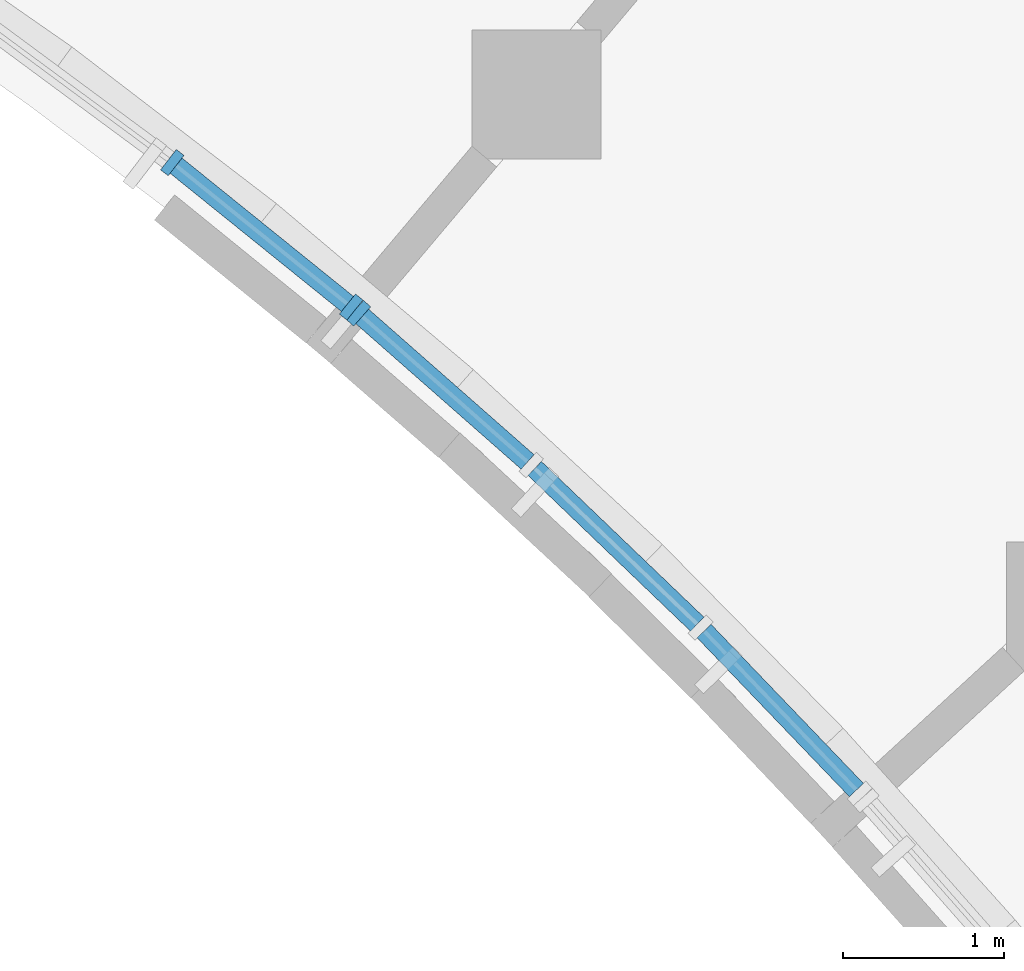
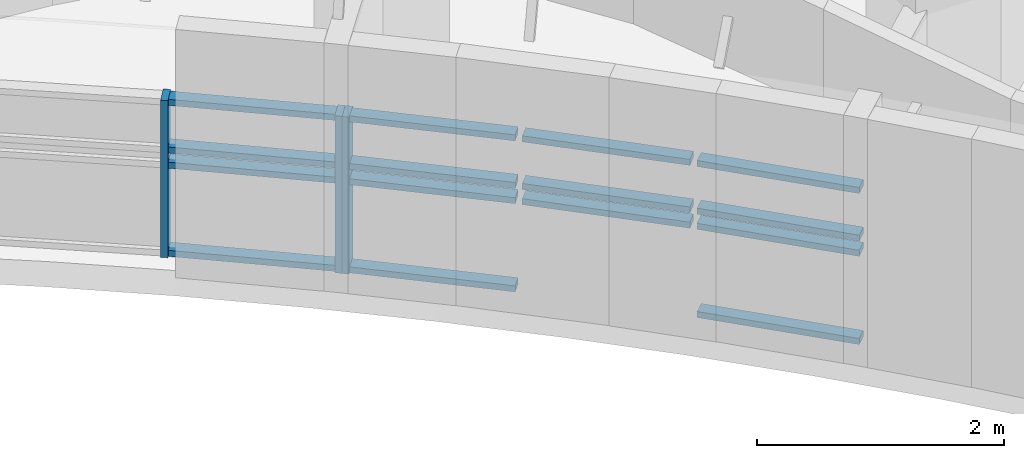
# One storey, part 8 of 89: 18 members, 2 elements without a shape of their own.
"""IFC4 building model written with IfcOpenShell, lengths in metres."""

import ifcopenshell
import ifcopenshell.guid

model = None  # the IFC model being written
_history = None  # IfcOwnerHistory: only IFC2X3 demands one
_inside = {}  # id of a spatial element -> (the spatial element, [elements in it])
_under = {}  # id of a project, library or spatial element -> (it, [spatial elements below it])
_declared = {}  # id of a project -> (the project, [libraries it declares])
_typed = {}  # id of a type object -> (the type object, [elements of that type])
_made_of = {}  # id of a material, layer set ... -> (it, [elements and type objects made of it])


def new_model(schema):
    """Start an empty IFC model of exactly this schema.

    Asked for "IFC4X3", IfcOpenShell would pick the latest addendum, in which some entities
    have other attributes; the version numbers below select the first issue.
    IFC2X3 requires an IfcOwnerHistory on every rooted entity: one is made here for all.
    """
    global model, _history
    if schema == "IFC4X3":
        model = ifcopenshell.file(schema_version=(4, 3, 0, 0))
    else:
        model = ifcopenshell.file(schema=schema)
    _inside.clear()
    _under.clear()
    _declared.clear()
    _typed.clear()
    _made_of.clear()
    _history = None
    if model.schema == "IFC2X3":
        org = make("IfcOrganization", Name="unknown")
        user = make(
            "IfcPersonAndOrganization",
            ThePerson=make("IfcPerson", FamilyName="unknown"),
            TheOrganization=org,
        )
        app = make(
            "IfcApplication",
            ApplicationDeveloper=org,
            Version="unknown",
            ApplicationFullName="unknown",
            ApplicationIdentifier="unknown",
        )
        _history = make(
            "IfcOwnerHistory",
            OwningUser=user,
            OwningApplication=app,
            ChangeAction="ADDED",
            CreationDate=0,
        )
    return model


def make(cls, **values):
    """One entity of the class cls with the attributes given. An attribute that is None is left unset."""
    return model.create_entity(
        cls, **{name: value for name, value in values.items() if value is not None}
    )


def rooted(cls, **values):
    """An entity with a GlobalId (a new one), such as an element, a storey or a relation."""
    return make(cls, GlobalId=ifcopenshell.guid.new(), OwnerHistory=_history, **values)


def si_unit(unit_type, name, prefix=None):
    """IfcSIUnit, for example si_unit("LENGTHUNIT", "METRE", prefix="MILLI")."""
    return make("IfcSIUnit", UnitType=unit_type, Prefix=prefix, Name=name)


def assignment(units):
    """IfcUnitAssignment: the units of a project."""
    return None if units is None else make("IfcUnitAssignment", Units=units)


def point(xyz):
    """IfcCartesianPoint."""
    return None if xyz is None else make("IfcCartesianPoint", Coordinates=xyz)


def direction(xyz):
    """IfcDirection."""
    return None if xyz is None else make("IfcDirection", DirectionRatios=xyz)


def frame(location, z_axis=None, x_axis=None):
    """IfcAxis2Placement3D, a coordinate frame: its origin and axes. An axis left out is left unset."""
    return make(
        "IfcAxis2Placement3D",
        Location=point(location),
        Axis=direction(z_axis),
        RefDirection=direction(x_axis),
    )


def frame_2d(location, x_axis=None):
    """IfcAxis2Placement2D, a coordinate frame in the plane: its origin and x axis."""
    return make(
        "IfcAxis2Placement2D", Location=point(location), RefDirection=direction(x_axis)
    )


def origin():
    """The frame at (0, 0, 0) with its axes left unset."""
    return frame((0.0, 0.0, 0.0))


def origin_2d():
    """The frame at (0, 0) in the plane with its x axis left unset."""
    return frame_2d((0.0, 0.0))


def place(relative_to, where):
    """IfcLocalPlacement: puts the frame where relative to a parent placement (None: the world)."""
    return make(
        "IfcLocalPlacement", PlacementRelTo=relative_to, RelativePlacement=where
    )


def context(
    kind, dimensions, precision=None, world=None, true_north=None, identifier=None
):
    """IfcGeometricRepresentationContext, for example the 3D "Model" context."""
    return make(
        "IfcGeometricRepresentationContext",
        ContextIdentifier=identifier,
        ContextType=kind,
        CoordinateSpaceDimension=dimensions,
        Precision=precision,
        WorldCoordinateSystem=world,
        TrueNorth=true_north,
    )


def subcontext(parent, identifier, kind, view, scale=None):
    """IfcGeometricRepresentationSubContext, for example "Body" below "Model"."""
    return make(
        "IfcGeometricRepresentationSubContext",
        ContextIdentifier=identifier,
        ContextType=kind,
        ParentContext=parent,
        TargetScale=scale,
        TargetView=view,
    )


def project(units=None, contexts=None):
    """IfcProject with its units and contexts."""
    return rooted(
        "IfcProject",
        Name="project",
        RepresentationContexts=contexts,
        UnitsInContext=assignment(units),
    )


def spatial(cls, under=None, at=None, **own):
    """A site, building, storey or space (cls), placed at a placement, below another one or the project."""
    s = rooted(cls, ObjectPlacement=at, **own)
    if under is not None:
        _under.setdefault(under.id(), (under, []))[1].append(s)
    return s


def profile(cls, at=None, kind="AREA", **sizes):
    """A parametric profile (cls). Its sizes go by their IFC names, for example OverallWidth=200.0."""
    return make(cls, ProfileType=kind, Position=at, **sizes)


def rectangle(**sizes):
    """IfcRectangleProfileDef."""
    return profile("IfcRectangleProfileDef", **sizes)


def extrude(swept, where, along, depth):
    """IfcExtrudedAreaSolid: the profile swept, set in the frame where, extruded along a direction by depth."""
    return make(
        "IfcExtrudedAreaSolid",
        SweptArea=swept,
        Position=where,
        ExtrudedDirection=direction(along),
        Depth=depth,
    )


def shape(context_of_items, identifier, shape_type, items):
    """IfcShapeRepresentation: the items that make up one representation, for example the "Body"."""
    return make(
        "IfcShapeRepresentation",
        ContextOfItems=context_of_items,
        RepresentationIdentifier=identifier,
        RepresentationType=shape_type,
        Items=items,
    )


def material(Name=None, Category=None):
    """IfcMaterial."""
    return make("IfcMaterial", Name=Name, Category=Category)


def material_profile(
    of_material, cross_section, Name=None, Category=None, Priority=None
):
    """IfcMaterialProfile: a cross section and its material."""
    return make(
        "IfcMaterialProfile",
        Name=Name,
        Material=of_material,
        Profile=cross_section,
        Priority=Priority,
        Category=Category,
    )


def profile_set(profiles, Name=None, composite=None):
    """IfcMaterialProfileSet."""
    return make(
        "IfcMaterialProfileSet",
        Name=Name,
        MaterialProfiles=profiles,
        CompositeProfile=composite,
    )


def made_of(thing, what):
    """Note that an element or type object is made of a material, layer set ...; save() writes the relation."""
    if what is not None:
        _made_of.setdefault(what.id(), (what, []))[1].append(thing)
    return thing


def type_object(cls, material=None, **own):
    """A type object (cls), such as IfcWallType, which elements share."""
    return made_of(rooted(cls, **own), material)


def element(
    cls,
    number,
    at=None,
    inside=None,
    cuts=None,
    type_object=None,
    material=None,
    context=None,
    identifier="Body",
    shape_type=None,
    held_by="IfcProductDefinitionShape",
    body=None,
    shapes=None,
    **own,
):
    """One element of the class cls, such as IfcWall. Its Tag is "e" and its number.

    at: its placement. inside: the storey or other place that contains it. cuts: it is an
    opening in that element (IfcRelVoidsElement). A single representation is given by context,
    identifier, shape_type and body (its items); several are given by shapes. held_by: the class
    of the entity that holds the representations. save() writes the other relations.
    """
    e = rooted(cls, Tag="e%d" % number, ObjectPlacement=at, **own)
    if body is not None:
        shapes = [shape(context, identifier, shape_type, body)]
    if shapes is not None:
        e.Representation = make(held_by, Representations=shapes)
    if inside is not None:
        _inside.setdefault(inside.id(), (inside, []))[1].append(e)
    if cuts is not None:
        rooted(
            "IfcRelVoidsElement", RelatingBuildingElement=cuts, RelatedOpeningElement=e
        )
    if type_object is not None:
        _typed.setdefault(type_object.id(), (type_object, []))[1].append(e)
    return made_of(e, material)


def aggregate(whole, parts):
    """IfcRelAggregates: a whole, such as a stair, and the parts it consists of."""
    return rooted("IfcRelAggregates", RelatingObject=whole, RelatedObjects=parts)


def save(model, path):
    """Write the relations noted so far, then the file.

    IfcRelAggregates (storeys below a building ...), IfcRelContainedInSpatialStructure (elements
    in a storey), IfcRelDefinesByType, IfcRelAssociatesMaterial and IfcRelDeclares: one each for
    every whole, place, type object, material and project.
    """
    for whole, parts in _under.values():
        aggregate(whole, parts)
    for where, things in _inside.values():
        rooted(
            "IfcRelContainedInSpatialStructure",
            RelatedElements=things,
            RelatingStructure=where,
        )
    for kind, things in _typed.values():
        rooted("IfcRelDefinesByType", RelatedObjects=things, RelatingType=kind)
    for what, things in _made_of.values():
        rooted("IfcRelAssociatesMaterial", RelatedObjects=things, RelatingMaterial=what)
    for by, libraries in _declared.values():
        rooted("IfcRelDeclares", RelatingContext=by, RelatedDefinitions=libraries)
    model.write(path)


model = new_model("IFC4")

# Units and contexts
model_context = context("Model", 3, precision=1e-05, world=origin(), true_north=direction((0.0, 1.0)))
body_context = subcontext(model_context, "Body", "Model", "MODEL_VIEW")
ifc_project = project(units=[si_unit("LENGTHUNIT", "METRE"), si_unit("AREAUNIT", "SQUARE_METRE"), si_unit("VOLUMEUNIT", "CUBIC_METRE"), si_unit("PLANEANGLEUNIT", "RADIAN"), si_unit("MASSUNIT", "GRAM", prefix="KILO")], contexts=[model_context])

# Site, building, storey
site_placement = place(None, origin())
site = spatial("IfcSite", under=ifc_project, at=site_placement, CompositionType="ELEMENT")
building_placement = place(site_placement, origin())
building = spatial("IfcBuilding", under=site, at=building_placement, Name="Bougainvillea Quay General Hospital", CompositionType="ELEMENT")
storey_placement = place(building_placement, frame((0.0, 0.0, 9.89990234375)))
storey = spatial("IfcBuildingStorey", under=building, at=storey_placement, Name="L01M", CompositionType="ELEMENT", Elevation=9.89990234375)

# Curtain wall, members
ifc_material_1 = material(Name="Aluminium curtain wall system, powder-coated glazed", Category="aluminium")
curtain_wall_type = type_object("IfcCurtainWallType", Name="Unitised curtain wall CW-2100", PredefinedType="NOTDEFINED", material=ifc_material_1)
curtain_wall_1_placement = place(storey_placement, origin())
curtain_wall_1 = element("IfcCurtainWall", 1, at=curtain_wall_1_placement, inside=storey, type_object=curtain_wall_type, Name="CW-E02 a12b1", PredefinedType="NOTDEFINED")
ifc_material_2 = material(Name="Aluminium mullion, powder-coated charcoal", Category="aluminium")
ifc_material_profile_1 = material_profile(ifc_material_2, rectangle(XDim=0.159912109375, YDim=0.06005859375, at=origin_2d()))
ifc_profile_set_1 = profile_set([ifc_material_profile_1], Name="Aluminium mullion, powder-coated charcoal")
member_type_1 = type_object("IfcMemberType", Name="Curtain wall mullion 160x60", PredefinedType="MULLION", material=ifc_profile_set_1)
member_1_placement = place(storey_placement, frame((130.138427734375, 49.104248046875, 0.0), z_axis=(0.0, 0.0, 1.0), x_axis=(0.611342897557, 0.791365820343, 0.0)))
member_1 = element("IfcMember", 2, at=member_1_placement, type_object=member_type_1, Name="CW-E02 mullion 3", PredefinedType="MULLION", context=body_context, shape_type="SweptSolid", body=[
    extrude(rectangle(XDim=0.159912109375, YDim=0.06005859375, at=origin_2d()), origin(), (0.0, 0.0, 1.0), 1.550048828125),
])
member_2_placement = place(storey_placement, frame((131.248779296875, 48.2080078125, 0.0), z_axis=(0.0, 0.0, 1.0), x_axis=(0.628035497086, 0.778184691702, 0.0)))
member_2 = element("IfcMember", 3, at=member_2_placement, type_object=member_type_1, Name="CW-E02 mullion 4", PredefinedType="MULLION", context=body_context, shape_type="SweptSolid", body=[
    extrude(rectangle(XDim=0.159912109375, YDim=0.06005859375, at=origin_2d()), origin(), (0.0, 0.0, 1.0), 1.550048828125),
])

# Curtain wall, member
curtain_wall_2_placement = place(storey_placement, origin())
curtain_wall_2 = element("IfcCurtainWall", 4, at=curtain_wall_2_placement, inside=storey, type_object=curtain_wall_type, Name="CW-E03 a12b2", PredefinedType="NOTDEFINED")
member_3_placement = place(storey_placement, frame((131.294677734375, 48.16943359375, 0.0), z_axis=(0.0, 0.0, 1.0), x_axis=(0.660560931643, 0.750772439283, 0.0)))
member_3 = element("IfcMember", 5, at=member_3_placement, type_object=member_type_1, Name="CW-E03 mullion 1", PredefinedType="MULLION", context=body_context, shape_type="SweptSolid", body=[
    extrude(rectangle(XDim=0.159912109375, YDim=0.06005859375, at=origin_2d()), origin(), (0.0, 0.0, 1.0), 1.550048828125),
])

# Member
ifc_material_3 = material(Name="Aluminium transom, powder-coated charcoal", Category="aluminium")
ifc_material_profile_2 = material_profile(ifc_material_3, rectangle(XDim=0.1201171875, YDim=0.06005859375, at=origin_2d()))
ifc_profile_set_2 = profile_set([ifc_material_profile_2], Name="Aluminium transom, powder-coated charcoal")
member_type_2 = type_object("IfcMemberType", Name="Curtain wall transom 120x60", PredefinedType="USERDEFINED", material=ifc_profile_set_2)
member_4_placement = place(storey_placement, frame((130.161865234375, 49.08544921875, 0.030029296875), z_axis=(0.778213103067, -0.628000291573, 0.0), x_axis=(0.628000291573, 0.778213103067, 0.0)))
member_4 = element("IfcMember", 6, at=member_4_placement, type_object=member_type_2, Name="CW-E02 transom 3.1", ObjectType="TRANSOM", PredefinedType="USERDEFINED", context=body_context, shape_type="SweptSolid", body=[
    extrude(rectangle(XDim=0.1201171875, YDim=0.06005859375, at=origin_2d()), origin(), (0.0, 0.0, 1.0), 1.366943359375),
])

member_5_placement = place(storey_placement, frame((130.161865234375, 49.08544921875, 0.900146484375), z_axis=(0.778213103067, -0.628000291573, 0.0), x_axis=(0.628000291573, 0.778213103067, 0.0)))
member_5 = element("IfcMember", 7, at=member_5_placement, type_object=member_type_2, Name="CW-E02 transom 3.2", ObjectType="TRANSOM", PredefinedType="USERDEFINED", context=body_context, shape_type="SweptSolid", body=[
    extrude(rectangle(XDim=0.1201171875, YDim=0.06005859375, at=origin_2d()), origin(), (0.0, 0.0, 1.0), 1.366943359375),
])

member_6_placement = place(storey_placement, frame((130.161865234375, 49.08544921875, 1.050048828125), z_axis=(0.778213103067, -0.628000291573, 0.0), x_axis=(0.628000291573, 0.778213103067, 0.0)))
member_6 = element("IfcMember", 8, at=member_6_placement, type_object=member_type_2, Name="CW-E02 transom 3.3", ObjectType="TRANSOM", PredefinedType="USERDEFINED", context=body_context, shape_type="SweptSolid", body=[
    extrude(rectangle(XDim=0.1201171875, YDim=0.06005859375, at=origin_2d()), origin(), (0.0, 0.0, 1.0), 1.366943359375),
])

member_7_placement = place(storey_placement, frame((130.161865234375, 49.08544921875, 1.52001953125), z_axis=(0.778213103067, -0.628000291573, 0.0), x_axis=(0.628000291573, 0.778213103067, 0.0)))
member_7 = element("IfcMember", 9, at=member_7_placement, type_object=member_type_2, Name="CW-E02 transom 3.4", ObjectType="TRANSOM", PredefinedType="USERDEFINED", context=body_context, shape_type="SweptSolid", body=[
    extrude(rectangle(XDim=0.1201171875, YDim=0.06005859375, at=origin_2d()), origin(), (0.0, 0.0, 1.0), 1.366943359375),
])

aggregate(curtain_wall_1, [member_1, member_2, member_4, member_5, member_6, member_7])

member_8_placement = place(storey_placement, frame((131.317138671875, 48.149658203125, 0.030029296875), z_axis=(0.750848138241, -0.660474884685, 0.0), x_axis=(0.660474884685, 0.750848138241, 0.0)))
member_8 = element("IfcMember", 10, at=member_8_placement, type_object=member_type_2, Name="CW-E03 transom 1.1", ObjectType="TRANSOM", PredefinedType="USERDEFINED", context=body_context, shape_type="SweptSolid", body=[
    extrude(rectangle(XDim=0.1201171875, YDim=0.06005859375, at=origin_2d()), origin(), (0.0, 0.0, 1.0), 1.366943359375),
])

member_9_placement = place(storey_placement, frame((131.317138671875, 48.149658203125, 0.900146484375), z_axis=(0.750848138241, -0.660474884685, 0.0), x_axis=(0.660474884685, 0.750848138241, 0.0)))
member_9 = element("IfcMember", 11, at=member_9_placement, type_object=member_type_2, Name="CW-E03 transom 1.2", ObjectType="TRANSOM", PredefinedType="USERDEFINED", context=body_context, shape_type="SweptSolid", body=[
    extrude(rectangle(XDim=0.1201171875, YDim=0.06005859375, at=origin_2d()), origin(), (0.0, 0.0, 1.0), 1.366943359375),
])

member_10_placement = place(storey_placement, frame((131.317138671875, 48.149658203125, 1.050048828125), z_axis=(0.750848138241, -0.660474884685, 0.0), x_axis=(0.660474884685, 0.750848138241, 0.0)))
member_10 = element("IfcMember", 12, at=member_10_placement, type_object=member_type_2, Name="CW-E03 transom 1.3", ObjectType="TRANSOM", PredefinedType="USERDEFINED", context=body_context, shape_type="SweptSolid", body=[
    extrude(rectangle(XDim=0.1201171875, YDim=0.06005859375, at=origin_2d()), origin(), (0.0, 0.0, 1.0), 1.366943359375),
])

member_11_placement = place(storey_placement, frame((131.317138671875, 48.149658203125, 1.52001953125), z_axis=(0.750848138241, -0.660474884685, 0.0), x_axis=(0.660474884685, 0.750848138241, 0.0)))
member_11 = element("IfcMember", 13, at=member_11_placement, type_object=member_type_2, Name="CW-E03 transom 1.4", ObjectType="TRANSOM", PredefinedType="USERDEFINED", context=body_context, shape_type="SweptSolid", body=[
    extrude(rectangle(XDim=0.1201171875, YDim=0.06005859375, at=origin_2d()), origin(), (0.0, 0.0, 1.0), 1.366943359375),
])

member_12_placement = place(storey_placement, frame((132.3876953125, 47.2060546875, 0.900146484375), z_axis=(0.722064602887, -0.69182563501, 0.0), x_axis=(0.69182563501, 0.722064602887, 0.0)))
member_12 = element("IfcMember", 14, at=member_12_placement, type_object=member_type_2, Name="CW-E03 transom 2.2", ObjectType="TRANSOM", PredefinedType="USERDEFINED", context=body_context, shape_type="SweptSolid", body=[
    extrude(rectangle(XDim=0.1201171875, YDim=0.06005859375, at=origin_2d()), origin(), (0.0, 0.0, 1.0), 1.396728515625),
])

member_13_placement = place(storey_placement, frame((132.3876953125, 47.2060546875, 1.050048828125), z_axis=(0.722064602887, -0.69182563501, 0.0), x_axis=(0.69182563501, 0.722064602887, 0.0)))
member_13 = element("IfcMember", 15, at=member_13_placement, type_object=member_type_2, Name="CW-E03 transom 2.3", ObjectType="TRANSOM", PredefinedType="USERDEFINED", context=body_context, shape_type="SweptSolid", body=[
    extrude(rectangle(XDim=0.1201171875, YDim=0.06005859375, at=origin_2d()), origin(), (0.0, 0.0, 1.0), 1.396728515625),
])

member_14_placement = place(storey_placement, frame((132.3876953125, 47.2060546875, 1.52001953125), z_axis=(0.722064602887, -0.69182563501, 0.0), x_axis=(0.69182563501, 0.722064602887, 0.0)))
member_14 = element("IfcMember", 16, at=member_14_placement, type_object=member_type_2, Name="CW-E03 transom 2.4", ObjectType="TRANSOM", PredefinedType="USERDEFINED", context=body_context, shape_type="SweptSolid", body=[
    extrude(rectangle(XDim=0.1201171875, YDim=0.06005859375, at=origin_2d()), origin(), (0.0, 0.0, 1.0), 1.396728515625),
])

member_15_placement = place(storey_placement, frame((133.4384765625, 46.197265625, 0.030029296875), z_axis=(0.691944155864, -0.721951026847, 0.0), x_axis=(0.721951026847, 0.691944155864, 0.0)))
member_15 = element("IfcMember", 17, at=member_15_placement, type_object=member_type_2, Name="CW-E03 transom 3.1", ObjectType="TRANSOM", PredefinedType="USERDEFINED", context=body_context, shape_type="SweptSolid", body=[
    extrude(rectangle(XDim=0.1201171875, YDim=0.06005859375, at=origin_2d()), origin(), (0.0, 0.0, 1.0), 1.366943359375),
])

member_16_placement = place(storey_placement, frame((133.4384765625, 46.197265625, 0.900146484375), z_axis=(0.691944155864, -0.721951026847, 0.0), x_axis=(0.721951026847, 0.691944155864, 0.0)))
member_16 = element("IfcMember", 18, at=member_16_placement, type_object=member_type_2, Name="CW-E03 transom 3.2", ObjectType="TRANSOM", PredefinedType="USERDEFINED", context=body_context, shape_type="SweptSolid", body=[
    extrude(rectangle(XDim=0.1201171875, YDim=0.06005859375, at=origin_2d()), origin(), (0.0, 0.0, 1.0), 1.366943359375),
])

member_17_placement = place(storey_placement, frame((133.4384765625, 46.197265625, 1.050048828125), z_axis=(0.691944155864, -0.721951026847, 0.0), x_axis=(0.721951026847, 0.691944155864, 0.0)))
member_17 = element("IfcMember", 19, at=member_17_placement, type_object=member_type_2, Name="CW-E03 transom 3.3", ObjectType="TRANSOM", PredefinedType="USERDEFINED", context=body_context, shape_type="SweptSolid", body=[
    extrude(rectangle(XDim=0.1201171875, YDim=0.06005859375, at=origin_2d()), origin(), (0.0, 0.0, 1.0), 1.366943359375),
])

member_18_placement = place(storey_placement, frame((133.4384765625, 46.197265625, 1.52001953125), z_axis=(0.691944155864, -0.721951026847, 0.0), x_axis=(0.721951026847, 0.691944155864, 0.0)))
member_18 = element("IfcMember", 20, at=member_18_placement, type_object=member_type_2, Name="CW-E03 transom 3.4", ObjectType="TRANSOM", PredefinedType="USERDEFINED", context=body_context, shape_type="SweptSolid", body=[
    extrude(rectangle(XDim=0.1201171875, YDim=0.06005859375, at=origin_2d()), origin(), (0.0, 0.0, 1.0), 1.366943359375),
])

aggregate(curtain_wall_2, [member_3, member_8, member_9, member_10, member_11, member_12, member_13, member_14, member_15, member_16, member_17, member_18])

save(model, "model.ifc")
